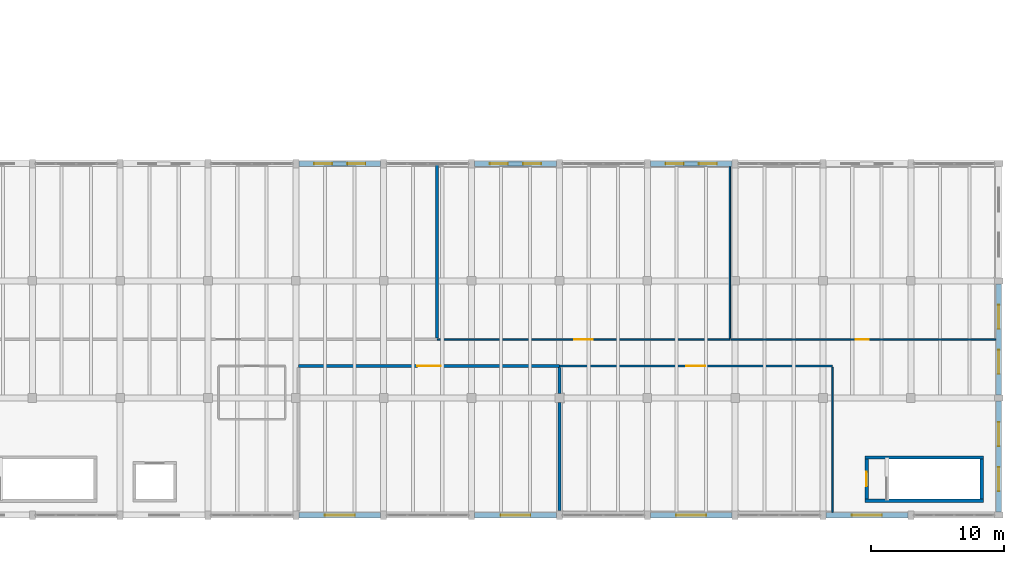
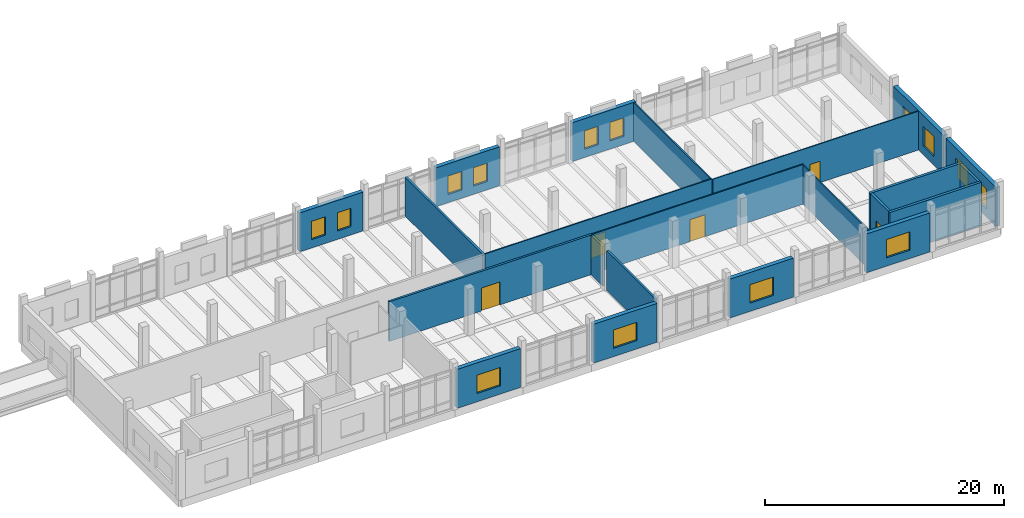
# One storey, part 55 of 76: 22 walls, 14 windows, 5 doors, 19 openings.
"""IFC4 building model written with IfcOpenShell, lengths in metres."""

from ifc_helpers import new_model, si_unit, direction, frame, frame_2d, origin, place, context, subcontext, project, spatial, rectangle, extrude, material, layer, layer_set, type_object, element, fill, save


model = new_model("IFC4")

# Units and contexts
model_context = context("Model", 3, precision=1e-05, world=origin(), true_north=direction((0.0, 1.0)))
body_context = subcontext(model_context, "Body", "Model", "MODEL_VIEW")
ifc_project = project(units=[si_unit("LENGTHUNIT", "METRE"), si_unit("AREAUNIT", "SQUARE_METRE"), si_unit("VOLUMEUNIT", "CUBIC_METRE"), si_unit("PLANEANGLEUNIT", "RADIAN"), si_unit("MASSUNIT", "GRAM", prefix="KILO")], contexts=[model_context])

# Site, building, storey
site_placement = place(None, origin())
site = spatial("IfcSite", under=ifc_project, at=site_placement, CompositionType="ELEMENT")
building_placement = place(site_placement, origin())
building = spatial("IfcBuilding", under=site, at=building_placement, Name="Dornvale Research Institute", CompositionType="ELEMENT")
storey_placement = place(building_placement, frame((0.0, 0.0, 15.0)))
storey = spatial("IfcBuildingStorey", under=building, at=storey_placement, Name="L03", CompositionType="ELEMENT", Elevation=15.0)

# Wall, opening, door
ifc_material_1 = material(Name="Acoustic Insulated Double-Stud Laboratory Partition")
ifc_layer_1 = layer(ifc_material_1, 0.1201171875)
ifc_layer_set_1 = layer_set([ifc_layer_1], Name="Acoustic Insulated Double-Stud Laboratory Partition")
wall_type_1 = type_object("IfcWallType", Name="Partition_Dry_120", PredefinedType="PARTITIONING", material=ifc_layer_set_1)
wall_1_placement = place(storey_placement, frame((136.014892578125, 13.199951171875, 0.0), z_axis=(0.0, 0.0, 1.0), x_axis=(1.0, 0.0, 0.0)))
wall_1 = element("IfcWall", 1, at=wall_1_placement, inside=storey, type_object=wall_type_1, Name="L03 V3 interior partition #382", PredefinedType="PARTITIONING", context=body_context, shape_type="SweptSolid", body=[
    extrude(rectangle(XDim=21.985107421875, YDim=0.1201171875, at=frame_2d((10.99267578125, 0.0))), origin(), (0.0, 0.0, 1.0), 4.06494140625),
])
opening_1_placement = place(wall_1_placement, frame((10.294921875, 0.0, 0.0)))
opening_1 = element("IfcOpeningElement", 2, at=opening_1_placement, cuts=wall_1, Name="Opening ID-08", PredefinedType="OPENING", context=body_context, shape_type="SweptSolid", body=[
    extrude(rectangle(XDim=1.3798828125, YDim=2.25, at=frame_2d((0.68994140625, 1.125))), frame((0.0, 0.074951171875, 0.0), z_axis=(0.0, -1.0, 0.0), x_axis=(1.0, 0.0, 0.0)), (0.0, 0.0, 1.0), 0.150146484375),
])
ifc_material_2 = material(Name="Insulated Fire-Rated Hollow Metal Door Assembly")
door_type_1 = type_object("IfcDoorType", Name="Door_DryLab_1380x2250", OperationType="SINGLE_SWING_LEFT", PredefinedType="DOOR", material=ifc_material_2)
door_1_placement = place(opening_1_placement, origin())
door_1 = element("IfcDoor", 3, at=door_1_placement, inside=storey, type_object=door_type_1, Name="L03 Photonics Packaging and Reliability Lab door #154", OperationType="SINGLE_SWING_LEFT", OverallHeight=2.25, OverallWidth=1.3798828125, PredefinedType="DOOR", context=body_context, shape_type="SweptSolid", body=[
    extrude(rectangle(XDim=1.3798828125, YDim=2.25, at=frame_2d((0.68994140625, 1.125))), frame((0.0, 0.02490234375, 0.0), z_axis=(0.0, -1.0, 0.0), x_axis=(1.0, 0.0, 0.0)), (0.0, 0.0, 1.0), 0.050048828125),
])
fill(opening_1, door_1)

# Wall
wall_2_placement = place(storey_placement, frame((158.0, 13.27490234375, 0.0), z_axis=(0.0, 0.0, 1.0), x_axis=(0.0, 1.0, 0.0)))
element("IfcWall", 4, at=wall_2_placement, inside=storey, type_object=wall_type_1, Name="L03 V3 interior partition #383", PredefinedType="PARTITIONING", context=body_context, shape_type="SweptSolid", body=[
    extrude(rectangle(XDim=12.91015625, YDim=0.1201171875, at=frame_2d((6.455078125, 0.0))), origin(), (0.0, 0.0, 1.0), 3.97998046875),
])

# Wall, opening, door
wall_3_placement = place(storey_placement, frame((145.215087890625, 11.199951171875, 0.0), z_axis=(0.0, 0.0, 1.0), x_axis=(1.0, 0.0, 0.0)))
wall_3 = element("IfcWall", 5, at=wall_3_placement, inside=storey, type_object=wall_type_1, Name="L03 V3 interior partition #390", PredefinedType="PARTITIONING", context=body_context, shape_type="SweptSolid", body=[
    extrude(rectangle(XDim=20.48486328125, YDim=0.1201171875, at=frame_2d((10.242431640625, 0.0))), origin(), (0.0, 0.0, 1.0), 4.06494140625),
])
opening_2_placement = place(wall_3_placement, frame((9.514892578125, 0.0, 0.0)))
opening_2 = element("IfcOpeningElement", 6, at=opening_2_placement, cuts=wall_3, Name="Opening ID-07", PredefinedType="OPENING", context=body_context, shape_type="SweptSolid", body=[
    extrude(rectangle(XDim=1.43994140625, YDim=2.25, at=frame_2d((0.719970703125, 1.125))), frame((0.0, 0.074951171875, 0.0), z_axis=(0.0, -1.0, 0.0), x_axis=(1.0, 0.0, 0.0)), (0.0, 0.0, 1.0), 0.150146484375),
])
ifc_material_3 = material(Name="Insulated Fire-Rated Hollow Metal Door Assembly")
door_type_2 = type_object("IfcDoorType", Name="Door_DryLab_1440x2250", OperationType="SINGLE_SWING_LEFT", PredefinedType="DOOR", material=ifc_material_3)
door_2_placement = place(opening_2_placement, origin())
door_2 = element("IfcDoor", 7, at=door_2_placement, inside=storey, type_object=door_type_2, Name="L03 Nanometrology Calibration Suite L03 door #157", OperationType="SINGLE_SWING_RIGHT", OverallHeight=2.25, OverallWidth=1.43994140625, PredefinedType="DOOR", context=body_context, shape_type="SweptSolid", body=[
    extrude(rectangle(XDim=1.43994140625, YDim=2.25, at=frame_2d((0.719970703125, 1.125))), frame((0.0, 0.02490234375, 0.0), z_axis=(0.0, -1.0, 0.0), x_axis=(1.0, 0.0, 0.0)), (0.0, 0.0, 1.0), 0.050048828125),
])
fill(opening_2, door_2)

# Walls
wall_4_placement = place(storey_placement, frame((165.699951171875, 0.215087890625, 0.0), z_axis=(0.0, 0.0, 1.0), x_axis=(0.0, 1.0, 0.0)))
element("IfcWall", 8, at=wall_4_placement, inside=storey, type_object=wall_type_1, Name="L03 V3 interior partition #391", PredefinedType="PARTITIONING", context=body_context, shape_type="SweptSolid", body=[
    extrude(rectangle(XDim=10.909912109375, YDim=0.1201171875, at=frame_2d((5.455078125, 0.0))), origin(), (0.0, 0.0, 1.0), 3.97998046875),
])
ifc_material_4 = material(Name="Fire-Rated Gypsum Board on Cold-Formed Steel Studs", Category="steel")
ifc_layer_2 = layer(ifc_material_4, 0.199951171875)
ifc_layer_set_2 = layer_set([ifc_layer_2], Name="Fire-Rated Gypsum Board on Cold-Formed Steel Studs")
wall_type_2 = type_object("IfcWallType", Name="Partition_FireWall_200", PredefinedType="PARTITIONING", material=ifc_layer_set_2)
wall_5_placement = place(storey_placement, frame((136.0, 13.31494140625, 0.0), z_axis=(0.0, 0.0, 1.0), x_axis=(0.0, 1.0, 0.0)))
element("IfcWall", 9, at=wall_5_placement, inside=storey, type_object=wall_type_2, Name="L03 V3 interior partition #381", PredefinedType="PARTITIONING", context=body_context, shape_type="SweptSolid", body=[
    extrude(rectangle(XDim=13.045166015625, YDim=0.199951171875, at=frame_2d((6.5224609375, 0.0))), origin(), (0.0, 0.0, 1.0), 3.97998046875),
])

# Wall, opening, door
wall_6_placement = place(storey_placement, frame((125.60009765625, 11.199951171875, 0.0), z_axis=(0.0, 0.0, 1.0), x_axis=(1.0, 0.0, 0.0)))
wall_6 = element("IfcWall", 10, at=wall_6_placement, inside=storey, type_object=wall_type_2, Name="L03 V3 interior partition #385", PredefinedType="PARTITIONING", context=body_context, shape_type="SweptSolid", body=[
    extrude(rectangle(XDim=19.599853515625, YDim=0.199951171875, at=frame_2d((9.7998046875, 0.0))), origin(), (0.0, 0.0, 1.0), 4.06494140625),
])
opening_3_placement = place(wall_6_placement, frame((8.919921875, 0.0, 0.0)))
opening_3 = element("IfcOpeningElement", 11, at=opening_3_placement, cuts=wall_6, Name="Opening ID-14", PredefinedType="OPENING", context=body_context, shape_type="SweptSolid", body=[
    extrude(rectangle(XDim=1.760009765625, YDim=2.35009765625, at=frame_2d((0.8798828125, 1.175048828125))), frame((0.0, 0.114990234375, 0.0), z_axis=(0.0, -1.0, 0.0), x_axis=(1.0, 0.0, 0.0)), (0.0, 0.0, 1.0), 0.22998046875),
])
ifc_material_5 = material(Name="Insulated Fire-Rated Hollow Metal Door Assembly")
door_type_3 = type_object("IfcDoorType", Name="Door_Plant_1760x2350", OperationType="SINGLE_SWING_LEFT", PredefinedType="DOOR", material=ifc_material_5)
door_3_placement = place(opening_3_placement, origin())
door_3 = element("IfcDoor", 12, at=door_3_placement, inside=storey, type_object=door_type_3, Name="L03 Cleanroom Return-Air Service Chase L03 door #156", OperationType="DOUBLE_DOOR_SINGLE_SWING", OverallHeight=2.35009765625, OverallWidth=1.760009765625, PredefinedType="DOOR", context=body_context, shape_type="SweptSolid", body=[
    extrude(rectangle(XDim=1.760009765625, YDim=2.35009765625, at=frame_2d((0.8798828125, 1.175048828125))), frame((0.0, 0.02490234375, 0.0), z_axis=(0.0, -1.0, 0.0), x_axis=(1.0, 0.0, 0.0)), (0.0, 0.0, 1.0), 0.050048828125),
])
fill(opening_3, door_3)

# Walls
wall_7_placement = place(storey_placement, frame((145.199951171875, 0.344970703125, 0.0), z_axis=(0.0, 0.0, 1.0), x_axis=(0.0, 1.0, 0.0)))
element("IfcWall", 13, at=wall_7_placement, inside=storey, type_object=wall_type_2, Name="L03 V3 interior partition #388", PredefinedType="PARTITIONING", context=body_context, shape_type="SweptSolid", body=[
    extrude(rectangle(XDim=8.110107421875, YDim=0.199951171875, at=frame_2d((4.05517578125, 0.0))), origin(), (0.0, 0.0, 1.0), 4.06494140625),
])
wall_8_placement = place(storey_placement, frame((145.199951171875, 9.14501953125, 0.0), z_axis=(0.0, 0.0, 1.0), x_axis=(0.0, 1.0, 0.0)))
element("IfcWall", 14, at=wall_8_placement, inside=storey, type_object=wall_type_2, Name="L03 V3 interior partition #389", PredefinedType="PARTITIONING", context=body_context, shape_type="SweptSolid", body=[
    extrude(rectangle(XDim=1.93994140625, YDim=0.199951171875, at=frame_2d((0.969970703125, 0.0))), origin(), (0.0, 0.0, 1.0), 4.06494140625),
])

# Wall, opening, door
ifc_material_6 = material(Name="Acoustic Insulated Double-Stud Laboratory Partition")
ifc_layer_3 = layer(ifc_material_6, 0.10009765625)
ifc_layer_set_3 = layer_set([ifc_layer_3], Name="Acoustic Insulated Double-Stud Laboratory Partition")
wall_type_3 = type_object("IfcWallType", Name="Partition_Office_100", PredefinedType="PARTITIONING", material=ifc_layer_set_3)
wall_9_placement = place(storey_placement, frame((158.074951171875, 13.199951171875, 0.0), z_axis=(0.0, 0.0, 1.0), x_axis=(1.0, 0.0, 0.0)))
wall_9 = element("IfcWall", 15, at=wall_9_placement, inside=storey, type_object=wall_type_3, Name="L03 V3 interior partition #384", PredefinedType="PARTITIONING", context=body_context, shape_type="SweptSolid", body=[
    extrude(rectangle(XDim=19.91015625, YDim=0.10009765625, at=frame_2d((9.955078125, 0.0))), origin(), (0.0, 0.0, 1.0), 3.97998046875),
])
opening_4_placement = place(wall_9_placement, frame((9.39501953125, 0.0, 0.0)))
opening_4 = element("IfcOpeningElement", 16, at=opening_4_placement, cuts=wall_9, Name="Opening ID-21", PredefinedType="OPENING", context=body_context, shape_type="SweptSolid", body=[
    extrude(rectangle(XDim=0.97998046875, YDim=2.199951171875, at=frame_2d((0.489990234375, 1.10009765625))), frame((0.0, 0.06494140625, 0.0), z_axis=(0.0, -1.0, 0.0), x_axis=(1.0, 0.0, 0.0)), (0.0, 0.0, 1.0), 0.130126953125),
])
ifc_material_7 = material(Name="Phenolic-Faced Solid-Core Laboratory Door Assembly")
door_type_4 = type_object("IfcDoorType", Name="Door_Office_980x2200", OperationType="SINGLE_SWING_LEFT", PredefinedType="DOOR", material=ifc_material_7)
door_4_placement = place(opening_4_placement, origin())
door_4 = element("IfcDoor", 17, at=door_4_placement, inside=storey, type_object=door_type_4, Name="L03 Cleanroom Operations Control Suite door #155", OperationType="SINGLE_SWING_RIGHT", OverallHeight=2.199951171875, OverallWidth=0.97998046875, PredefinedType="DOOR", context=body_context, shape_type="SweptSolid", body=[
    extrude(rectangle(XDim=0.97998046875, YDim=2.199951171875, at=frame_2d((0.489990234375, 1.10009765625))), frame((0.0, 0.02490234375, 0.0), z_axis=(0.0, -1.0, 0.0), x_axis=(1.0, 0.0, 0.0)), (0.0, 0.0, 1.0), 0.050048828125),
])
fill(opening_4, door_4)

# Walls
ifc_material_8 = material(Name="Concrete f'c 45 MPa (C35/45)", Category="concrete")
ifc_layer_4 = layer(ifc_material_8, 0.25)
ifc_layer_set_4 = layer_set([ifc_layer_4], Name="Concrete f'c 45 MPa (C35/45)")
wall_type_4 = type_object("IfcWallType", Name="ShearWall_Core_250", PredefinedType="SHEAR", material=ifc_layer_set_4)
for number, where, z_axis, x_axis, name in (
    (18, (168.14990234375, 1.074951171875, 0.0), (0.0, 0.0, 1.0), (1.0, 0.0, 0.0), "L03 ST-6 shaft shear wall south"),
    (19, (168.14990234375, 4.324951171875, 0.0), (0.0, 0.0, 1.0), (1.0, 0.0, 0.0), "L03 ST-6 shaft shear wall north"),
):
    element("IfcWall", number, at=place(storey_placement, frame(where, z_axis=z_axis, x_axis=x_axis)), inside=storey, type_object=wall_type_4, Name=name, PredefinedType="SHEAR", context=body_context, shape_type="SweptSolid", body=[
        extrude(rectangle(XDim=8.900146484375, YDim=0.25, at=frame_2d((4.4501953125, 0.0))), origin(), (0.0, 0.0, 1.0), 4.43994140625),
    ])

# Wall, opening, door
wall_10_placement = place(storey_placement, frame((168.27490234375, 1.199951171875, 0.0), z_axis=(0.0, 0.0, 1.0), x_axis=(0.0, 1.0, 0.0)))
wall_10 = element("IfcWall", 20, at=wall_10_placement, inside=storey, type_object=wall_type_4, Name="L03 ST-6 shaft shear wall west", PredefinedType="SHEAR", context=body_context, shape_type="SweptSolid", body=[
    extrude(rectangle(XDim=3.0, YDim=0.25, at=frame_2d((1.5, 0.0))), origin(), (0.0, 0.0, 1.0), 4.43994140625),
])
opening_5_placement = place(wall_10_placement, frame((0.9599609375, 0.0, 0.0)))
opening_5 = element("IfcOpeningElement", 21, at=opening_5_placement, cuts=wall_10, Name="Opening SD-02", PredefinedType="OPENING", context=body_context, shape_type="SweptSolid", body=[
    extrude(rectangle(XDim=1.080078125, YDim=2.199951171875, at=frame_2d((0.5400390625, 1.10009765625))), frame((0.0, 0.139892578125, 0.0), z_axis=(0.0, -1.0, 0.0), x_axis=(1.0, 0.0, 0.0)), (0.0, 0.0, 1.0), 0.280029296875),
])
ifc_material_9 = material(Name="Insulated Fire-Rated Hollow Metal Door Assembly")
door_type_5 = type_object("IfcDoorType", Name="Door_Stair_1080x2200", OperationType="SINGLE_SWING_LEFT", PredefinedType="DOOR", material=ifc_material_9)
door_5_placement = place(opening_5_placement, origin())
door_5 = element("IfcDoor", 22, at=door_5_placement, inside=storey, type_object=door_type_5, Name="L03 ST-6 exit stair door #50", OperationType="SINGLE_SWING_RIGHT", OverallHeight=2.199951171875, OverallWidth=1.080078125, PredefinedType="DOOR", context=body_context, shape_type="SweptSolid", body=[
    extrude(rectangle(XDim=1.080078125, YDim=2.199951171875, at=frame_2d((0.5400390625, 1.10009765625))), frame((0.0, 0.02490234375, 0.0), z_axis=(0.0, -1.0, 0.0), x_axis=(1.0, 0.0, 0.0)), (0.0, 0.0, 1.0), 0.050048828125),
])
fill(opening_5, door_5)

# Wall
wall_11_placement = place(storey_placement, frame((176.925048828125, 1.199951171875, 0.0), z_axis=(0.0, 0.0, 1.0), x_axis=(0.0, 1.0, 0.0)))
element("IfcWall", 23, at=wall_11_placement, inside=storey, type_object=wall_type_4, Name="L03 ST-6 shaft shear wall east", PredefinedType="SHEAR", context=body_context, shape_type="SweptSolid", body=[
    extrude(rectangle(XDim=3.0, YDim=0.25, at=frame_2d((1.5, 0.0))), origin(), (0.0, 0.0, 1.0), 4.43994140625),
])

# Wall, openings, windows
ifc_material_10 = material(Name="Precast Concrete f'c 40 MPa (C32/40) and Glazed Terracotta Backup Wall", Category="masonry")
ifc_layer_5 = layer(ifc_material_10, 0.39990234375)
ifc_layer_set_5 = layer_set([ifc_layer_5], Name="Precast Concrete f'c 40 MPa (C32/40) and Glazed Terracotta Backup Wall")
wall_type_5 = type_object("IfcWallType", Name="StandardWall_CleanroomExt_400", PredefinedType="STANDARD", material=ifc_layer_set_5)
wall_12_placement = place(storey_placement, frame((125.625, 26.39990234375, 0.0), z_axis=(0.0, 0.0, 1.0), x_axis=(1.0, 0.0, 0.0)))
wall_12 = element("IfcWall", 24, at=wall_12_placement, inside=storey, type_object=wall_type_5, Name="L03 V3 north exterior wall #171", PredefinedType="STANDARD", context=body_context, shape_type="SweptSolid", body=[
    extrude(rectangle(XDim=6.14990234375, YDim=0.39990234375, at=frame_2d((3.074951171875, 0.0))), origin(), (0.0, 0.0, 1.0), 3.97998046875),
])
opening_6_placement = place(wall_12_placement, frame((1.14990234375, 0.0, 0.85009765625)))
opening_6 = element("IfcOpeningElement", 25, at=opening_6_placement, cuts=wall_12, Name="Opening W-26", PredefinedType="OPENING", context=body_context, shape_type="SweptSolid", body=[
    extrude(rectangle(XDim=1.35009765625, YDim=1.8798828125, at=frame_2d((0.675048828125, 0.93994140625))), frame((0.0, 0.21484375, 0.0), z_axis=(0.0, -1.0, 0.0), x_axis=(1.0, 0.0, 0.0)), (0.0, 0.0, 1.0), 0.429931640625),
])
opening_7_placement = place(wall_12_placement, frame((3.64990234375, 0.0, 0.85009765625)))
opening_7 = element("IfcOpeningElement", 26, at=opening_7_placement, cuts=wall_12, Name="Opening W-26", PredefinedType="OPENING", context=body_context, shape_type="SweptSolid", body=[
    extrude(rectangle(XDim=1.35009765625, YDim=1.8798828125, at=frame_2d((0.675048828125, 0.93994140625))), frame((0.0, 0.21484375, 0.0), z_axis=(0.0, -1.0, 0.0), x_axis=(1.0, 0.0, 0.0)), (0.0, 0.0, 1.0), 0.429931640625),
])
ifc_material_11 = material(Name="Low-E Argon Double Insulating Glazing Unit", Category="glass")
window_type_1 = type_object("IfcWindowType", Name="Window_Alu_1350x1880_26", PartitioningType="SINGLE_PANEL", PredefinedType="WINDOW", material=ifc_material_11)
window_1_placement = place(opening_6_placement, origin())
window_1 = element("IfcWindow", 27, at=window_1_placement, inside=storey, type_object=window_type_1, Name="L03 V3 facade window W-26 #230", OverallHeight=1.8798828125, OverallWidth=1.35009765625, PartitioningType="SINGLE_PANEL", PredefinedType="WINDOW", context=body_context, shape_type="SweptSolid", body=[
    extrude(rectangle(XDim=1.35009765625, YDim=1.8798828125, at=frame_2d((0.675048828125, 0.93994140625))), frame((0.0, 0.030029296875, 0.0), z_axis=(0.0, -1.0, 0.0), x_axis=(1.0, 0.0, 0.0)), (0.0, 0.0, 1.0), 0.06005859375),
])
fill(opening_6, window_1)
window_2_placement = place(opening_7_placement, origin())
window_2 = element("IfcWindow", 28, at=window_2_placement, inside=storey, type_object=window_type_1, Name="L03 V3 facade window W-26 #231", OverallHeight=1.8798828125, OverallWidth=1.35009765625, PartitioningType="SINGLE_PANEL", PredefinedType="WINDOW", context=body_context, shape_type="SweptSolid", body=[
    extrude(rectangle(XDim=1.35009765625, YDim=1.8798828125, at=frame_2d((0.675048828125, 0.93994140625))), frame((0.0, 0.030029296875, 0.0), z_axis=(0.0, -1.0, 0.0), x_axis=(1.0, 0.0, 0.0)), (0.0, 0.0, 1.0), 0.06005859375),
])
fill(opening_7, window_2)

wall_13_placement = place(storey_placement, frame((138.824951171875, 26.39990234375, 0.0), z_axis=(0.0, 0.0, 1.0), x_axis=(1.0, 0.0, 0.0)))
wall_13 = element("IfcWall", 29, at=wall_13_placement, inside=storey, type_object=wall_type_5, Name="L03 V3 north exterior wall #172", PredefinedType="STANDARD", context=body_context, shape_type="SweptSolid", body=[
    extrude(rectangle(XDim=6.150146484375, YDim=0.39990234375, at=frame_2d((3.0751953125, 0.0))), origin(), (0.0, 0.0, 1.0), 3.97998046875),
])
opening_8_placement = place(wall_13_placement, frame((1.14990234375, 0.0, 0.85009765625)))
opening_8 = element("IfcOpeningElement", 30, at=opening_8_placement, cuts=wall_13, Name="Opening W-26", PredefinedType="OPENING", context=body_context, shape_type="SweptSolid", body=[
    extrude(rectangle(XDim=1.35009765625, YDim=1.8798828125, at=frame_2d((0.675048828125, 0.93994140625))), frame((0.0, 0.21484375, 0.0), z_axis=(0.0, -1.0, 0.0), x_axis=(1.0, 0.0, 0.0)), (0.0, 0.0, 1.0), 0.429931640625),
])
opening_9_placement = place(wall_13_placement, frame((3.64990234375, 0.0, 0.85009765625)))
opening_9 = element("IfcOpeningElement", 31, at=opening_9_placement, cuts=wall_13, Name="Opening W-26", PredefinedType="OPENING", context=body_context, shape_type="SweptSolid", body=[
    extrude(rectangle(XDim=1.35009765625, YDim=1.8798828125, at=frame_2d((0.675048828125, 0.93994140625))), frame((0.0, 0.21484375, 0.0), z_axis=(0.0, -1.0, 0.0), x_axis=(1.0, 0.0, 0.0)), (0.0, 0.0, 1.0), 0.429931640625),
])
window_3_placement = place(opening_8_placement, origin())
window_3 = element("IfcWindow", 32, at=window_3_placement, inside=storey, type_object=window_type_1, Name="L03 V3 facade window W-26 #232", OverallHeight=1.8798828125, OverallWidth=1.35009765625, PartitioningType="SINGLE_PANEL", PredefinedType="WINDOW", context=body_context, shape_type="SweptSolid", body=[
    extrude(rectangle(XDim=1.35009765625, YDim=1.8798828125, at=frame_2d((0.675048828125, 0.93994140625))), frame((0.0, 0.030029296875, 0.0), z_axis=(0.0, -1.0, 0.0), x_axis=(1.0, 0.0, 0.0)), (0.0, 0.0, 1.0), 0.06005859375),
])
fill(opening_8, window_3)
window_4_placement = place(opening_9_placement, origin())
window_4 = element("IfcWindow", 33, at=window_4_placement, inside=storey, type_object=window_type_1, Name="L03 V3 facade window W-26 #233", OverallHeight=1.8798828125, OverallWidth=1.35009765625, PartitioningType="SINGLE_PANEL", PredefinedType="WINDOW", context=body_context, shape_type="SweptSolid", body=[
    extrude(rectangle(XDim=1.35009765625, YDim=1.8798828125, at=frame_2d((0.675048828125, 0.93994140625))), frame((0.0, 0.030029296875, 0.0), z_axis=(0.0, -1.0, 0.0), x_axis=(1.0, 0.0, 0.0)), (0.0, 0.0, 1.0), 0.06005859375),
])
fill(opening_9, window_4)

wall_14_placement = place(storey_placement, frame((152.02490234375, 26.39990234375, 0.0), z_axis=(0.0, 0.0, 1.0), x_axis=(1.0, 0.0, 0.0)))
wall_14 = element("IfcWall", 34, at=wall_14_placement, inside=storey, type_object=wall_type_5, Name="L03 V3 north exterior wall #173", PredefinedType="STANDARD", context=body_context, shape_type="SweptSolid", body=[
    extrude(rectangle(XDim=6.150146484375, YDim=0.39990234375, at=frame_2d((3.0751953125, 0.0))), origin(), (0.0, 0.0, 1.0), 3.97998046875),
])
opening_10_placement = place(wall_14_placement, frame((1.14990234375, 0.0, 0.85009765625)))
opening_10 = element("IfcOpeningElement", 35, at=opening_10_placement, cuts=wall_14, Name="Opening W-26", PredefinedType="OPENING", context=body_context, shape_type="SweptSolid", body=[
    extrude(rectangle(XDim=1.35009765625, YDim=1.8798828125, at=frame_2d((0.675048828125, 0.93994140625))), frame((0.0, 0.21484375, 0.0), z_axis=(0.0, -1.0, 0.0), x_axis=(1.0, 0.0, 0.0)), (0.0, 0.0, 1.0), 0.429931640625),
])
opening_11_placement = place(wall_14_placement, frame((3.64990234375, 0.0, 0.85009765625)))
opening_11 = element("IfcOpeningElement", 36, at=opening_11_placement, cuts=wall_14, Name="Opening W-26", PredefinedType="OPENING", context=body_context, shape_type="SweptSolid", body=[
    extrude(rectangle(XDim=1.35009765625, YDim=1.8798828125, at=frame_2d((0.675048828125, 0.93994140625))), frame((0.0, 0.21484375, 0.0), z_axis=(0.0, -1.0, 0.0), x_axis=(1.0, 0.0, 0.0)), (0.0, 0.0, 1.0), 0.429931640625),
])
window_5_placement = place(opening_10_placement, origin())
window_5 = element("IfcWindow", 37, at=window_5_placement, inside=storey, type_object=window_type_1, Name="L03 V3 facade window W-26 #234", OverallHeight=1.8798828125, OverallWidth=1.35009765625, PartitioningType="SINGLE_PANEL", PredefinedType="WINDOW", context=body_context, shape_type="SweptSolid", body=[
    extrude(rectangle(XDim=1.35009765625, YDim=1.8798828125, at=frame_2d((0.675048828125, 0.93994140625))), frame((0.0, 0.030029296875, 0.0), z_axis=(0.0, -1.0, 0.0), x_axis=(1.0, 0.0, 0.0)), (0.0, 0.0, 1.0), 0.06005859375),
])
fill(opening_10, window_5)
window_6_placement = place(opening_11_placement, origin())
window_6 = element("IfcWindow", 38, at=window_6_placement, inside=storey, type_object=window_type_1, Name="L03 V3 facade window W-26 #235", OverallHeight=1.8798828125, OverallWidth=1.35009765625, PartitioningType="SINGLE_PANEL", PredefinedType="WINDOW", context=body_context, shape_type="SweptSolid", body=[
    extrude(rectangle(XDim=1.35009765625, YDim=1.8798828125, at=frame_2d((0.675048828125, 0.93994140625))), frame((0.0, 0.030029296875, 0.0), z_axis=(0.0, -1.0, 0.0), x_axis=(1.0, 0.0, 0.0)), (0.0, 0.0, 1.0), 0.06005859375),
])
fill(opening_11, window_6)

wall_15_placement = place(storey_placement, frame((178.199951171875, 17.375, 0.0), z_axis=(0.0, 0.0, 1.0), x_axis=(0.0, -1.0, 0.0)))
wall_15 = element("IfcWall", 39, at=wall_15_placement, inside=storey, type_object=wall_type_5, Name="L03 V3 east exterior wall #176", PredefinedType="STANDARD", context=body_context, shape_type="SweptSolid", body=[
    extrude(rectangle(XDim=8.35009765625, YDim=0.39990234375, at=frame_2d((4.175048828125, 0.0))), origin(), (0.0, 0.0, 1.0), 3.97998046875),
])
opening_12_placement = place(wall_15_placement, frame((1.583251953125, 0.0, 0.85009765625)))
opening_12 = element("IfcOpeningElement", 40, at=opening_12_placement, cuts=wall_15, Name="Opening W-29", PredefinedType="OPENING", context=body_context, shape_type="SweptSolid", body=[
    extrude(rectangle(XDim=1.800048828125, YDim=2.0400390625, at=frame_2d((0.89990234375, 1.02001953125))), frame((0.0, 0.21484375, 0.0), z_axis=(0.0, -1.0, 0.0), x_axis=(1.0, 0.0, 0.0)), (0.0, 0.0, 1.0), 0.429931640625),
])
opening_13_placement = place(wall_15_placement, frame((4.966552734375, 0.0, 0.85009765625)))
opening_13 = element("IfcOpeningElement", 41, at=opening_13_placement, cuts=wall_15, Name="Opening W-29", PredefinedType="OPENING", context=body_context, shape_type="SweptSolid", body=[
    extrude(rectangle(XDim=1.800048828125, YDim=2.0400390625, at=frame_2d((0.89990234375, 1.02001953125))), frame((0.0, 0.21484375, 0.0), z_axis=(0.0, -1.0, 0.0), x_axis=(1.0, 0.0, 0.0)), (0.0, 0.0, 1.0), 0.429931640625),
])
ifc_material_12 = material(Name="Low-E Argon Double Insulating Glazing Unit", Category="glass")
window_type_2 = type_object("IfcWindowType", Name="Window_Alu_1800x2040_29", PartitioningType="DOUBLE_PANEL_VERTICAL", PredefinedType="WINDOW", material=ifc_material_12)
window_7_placement = place(opening_12_placement, origin())
window_7 = element("IfcWindow", 42, at=window_7_placement, inside=storey, type_object=window_type_2, Name="L03 V3 facade window W-29 #240", OverallHeight=2.0400390625, OverallWidth=1.800048828125, PartitioningType="DOUBLE_PANEL_VERTICAL", PredefinedType="WINDOW", context=body_context, shape_type="SweptSolid", body=[
    extrude(rectangle(XDim=1.800048828125, YDim=2.0400390625, at=frame_2d((0.89990234375, 1.02001953125))), frame((0.0, 0.030029296875, 0.0), z_axis=(0.0, -1.0, 0.0), x_axis=(1.0, 0.0, 0.0)), (0.0, 0.0, 1.0), 0.06005859375),
])
fill(opening_12, window_7)
window_8_placement = place(opening_13_placement, origin())
window_8 = element("IfcWindow", 43, at=window_8_placement, inside=storey, type_object=window_type_2, Name="L03 V3 facade window W-29 #241", OverallHeight=2.0400390625, OverallWidth=1.800048828125, PartitioningType="DOUBLE_PANEL_VERTICAL", PredefinedType="WINDOW", context=body_context, shape_type="SweptSolid", body=[
    extrude(rectangle(XDim=1.800048828125, YDim=2.0400390625, at=frame_2d((0.89990234375, 1.02001953125))), frame((0.0, 0.030029296875, 0.0), z_axis=(0.0, -1.0, 0.0), x_axis=(1.0, 0.0, 0.0)), (0.0, 0.0, 1.0), 0.06005859375),
])
fill(opening_13, window_8)

wall_16_placement = place(storey_placement, frame((178.199951171875, 8.574951171875, 0.0), z_axis=(0.0, 0.0, 1.0), x_axis=(0.0, -1.0, 0.0)))
wall_16 = element("IfcWall", 44, at=wall_16_placement, inside=storey, type_object=wall_type_5, Name="L03 V3 east exterior wall #177", PredefinedType="STANDARD", context=body_context, shape_type="SweptSolid", body=[
    extrude(rectangle(XDim=8.349853515625, YDim=0.39990234375, at=frame_2d((4.1748046875, 0.0))), origin(), (0.0, 0.0, 1.0), 3.97998046875),
])
opening_14_placement = place(wall_16_placement, frame((1.583251953125, 0.0, 0.85009765625)))
opening_14 = element("IfcOpeningElement", 45, at=opening_14_placement, cuts=wall_16, Name="Opening W-29", PredefinedType="OPENING", context=body_context, shape_type="SweptSolid", body=[
    extrude(rectangle(XDim=1.800048828125, YDim=2.0400390625, at=frame_2d((0.89990234375, 1.02001953125))), frame((0.0, 0.21484375, 0.0), z_axis=(0.0, -1.0, 0.0), x_axis=(1.0, 0.0, 0.0)), (0.0, 0.0, 1.0), 0.429931640625),
])
opening_15_placement = place(wall_16_placement, frame((4.966552734375, 0.0, 0.85009765625)))
opening_15 = element("IfcOpeningElement", 46, at=opening_15_placement, cuts=wall_16, Name="Opening W-29", PredefinedType="OPENING", context=body_context, shape_type="SweptSolid", body=[
    extrude(rectangle(XDim=1.800048828125, YDim=2.0400390625, at=frame_2d((0.89990234375, 1.02001953125))), frame((0.0, 0.21484375, 0.0), z_axis=(0.0, -1.0, 0.0), x_axis=(1.0, 0.0, 0.0)), (0.0, 0.0, 1.0), 0.429931640625),
])
window_9_placement = place(opening_14_placement, origin())
window_9 = element("IfcWindow", 47, at=window_9_placement, inside=storey, type_object=window_type_2, Name="L03 V3 facade window W-29 #242", OverallHeight=2.0400390625, OverallWidth=1.800048828125, PartitioningType="DOUBLE_PANEL_VERTICAL", PredefinedType="WINDOW", context=body_context, shape_type="SweptSolid", body=[
    extrude(rectangle(XDim=1.800048828125, YDim=2.0400390625, at=frame_2d((0.89990234375, 1.02001953125))), frame((0.0, 0.030029296875, 0.0), z_axis=(0.0, -1.0, 0.0), x_axis=(1.0, 0.0, 0.0)), (0.0, 0.0, 1.0), 0.06005859375),
])
fill(opening_14, window_9)
window_10_placement = place(opening_15_placement, origin())
window_10 = element("IfcWindow", 48, at=window_10_placement, inside=storey, type_object=window_type_2, Name="L03 V3 facade window W-29 #243", OverallHeight=2.0400390625, OverallWidth=1.800048828125, PartitioningType="DOUBLE_PANEL_VERTICAL", PredefinedType="WINDOW", context=body_context, shape_type="SweptSolid", body=[
    extrude(rectangle(XDim=1.800048828125, YDim=2.0400390625, at=frame_2d((0.89990234375, 1.02001953125))), frame((0.0, 0.030029296875, 0.0), z_axis=(0.0, -1.0, 0.0), x_axis=(1.0, 0.0, 0.0)), (0.0, 0.0, 1.0), 0.06005859375),
])
fill(opening_15, window_10)

# Wall, opening, window
wall_17_placement = place(storey_placement, frame((171.375, 0.0, 0.0), z_axis=(0.0, 0.0, 1.0), x_axis=(-1.0, 0.0, 0.0)))
wall_17 = element("IfcWall", 49, at=wall_17_placement, inside=storey, type_object=wall_type_5, Name="L03 V3 south exterior wall #178", PredefinedType="STANDARD", context=body_context, shape_type="SweptSolid", body=[
    extrude(rectangle(XDim=6.14990234375, YDim=0.39990234375, at=frame_2d((3.074951171875, 0.0))), origin(), (0.0, 0.0, 1.0), 3.97998046875),
])
opening_16_placement = place(wall_17_placement, frame((1.949951171875, 0.0, 0.85009765625)))
opening_16 = element("IfcOpeningElement", 50, at=opening_16_placement, cuts=wall_17, Name="Opening W-32", PredefinedType="OPENING", context=body_context, shape_type="SweptSolid", body=[
    extrude(rectangle(XDim=2.25, YDim=1.8798828125, at=frame_2d((1.125, 0.93994140625))), frame((0.0, 0.21484375, 0.0), z_axis=(0.0, -1.0, 0.0), x_axis=(1.0, 0.0, 0.0)), (0.0, 0.0, 1.0), 0.429931640625),
])
ifc_material_13 = material(Name="Low-E Argon Double Insulating Glazing Unit", Category="glass")
window_type_3 = type_object("IfcWindowType", Name="Window_Alu_2250x1880_32", PartitioningType="DOUBLE_PANEL_VERTICAL", PredefinedType="WINDOW", material=ifc_material_13)
window_11_placement = place(opening_16_placement, origin())
window_11 = element("IfcWindow", 51, at=window_11_placement, inside=storey, type_object=window_type_3, Name="L03 V3 facade window W-32 #244", OverallHeight=1.8798828125, OverallWidth=2.25, PartitioningType="DOUBLE_PANEL_VERTICAL", PredefinedType="WINDOW", context=body_context, shape_type="SweptSolid", body=[
    extrude(rectangle(XDim=2.25, YDim=1.8798828125, at=frame_2d((1.125, 0.93994140625))), frame((0.0, 0.030029296875, 0.0), z_axis=(0.0, -1.0, 0.0), x_axis=(1.0, 0.0, 0.0)), (0.0, 0.0, 1.0), 0.06005859375),
])
fill(opening_16, window_11)

wall_18_placement = place(storey_placement, frame((158.175048828125, 0.0, 0.0), z_axis=(0.0, 0.0, 1.0), x_axis=(-1.0, 0.0, 0.0)))
wall_18 = element("IfcWall", 52, at=wall_18_placement, inside=storey, type_object=wall_type_5, Name="L03 V3 south exterior wall #179", PredefinedType="STANDARD", context=body_context, shape_type="SweptSolid", body=[
    extrude(rectangle(XDim=6.150146484375, YDim=0.39990234375, at=frame_2d((3.0751953125, 0.0))), origin(), (0.0, 0.0, 1.0), 3.97998046875),
])
opening_17_placement = place(wall_18_placement, frame((1.949951171875, 0.0, 0.85009765625)))
opening_17 = element("IfcOpeningElement", 53, at=opening_17_placement, cuts=wall_18, Name="Opening W-32", PredefinedType="OPENING", context=body_context, shape_type="SweptSolid", body=[
    extrude(rectangle(XDim=2.25, YDim=1.8798828125, at=frame_2d((1.125, 0.93994140625))), frame((0.0, 0.21484375, 0.0), z_axis=(0.0, -1.0, 0.0), x_axis=(1.0, 0.0, 0.0)), (0.0, 0.0, 1.0), 0.429931640625),
])
window_12_placement = place(opening_17_placement, origin())
window_12 = element("IfcWindow", 54, at=window_12_placement, inside=storey, type_object=window_type_3, Name="L03 V3 facade window W-32 #245", OverallHeight=1.8798828125, OverallWidth=2.25, PartitioningType="DOUBLE_PANEL_VERTICAL", PredefinedType="WINDOW", context=body_context, shape_type="SweptSolid", body=[
    extrude(rectangle(XDim=2.25, YDim=1.8798828125, at=frame_2d((1.125, 0.93994140625))), frame((0.0, 0.030029296875, 0.0), z_axis=(0.0, -1.0, 0.0), x_axis=(1.0, 0.0, 0.0)), (0.0, 0.0, 1.0), 0.06005859375),
])
fill(opening_17, window_12)

wall_19_placement = place(storey_placement, frame((144.97509765625, 0.0, 0.0), z_axis=(0.0, 0.0, 1.0), x_axis=(-1.0, 0.0, 0.0)))
wall_19 = element("IfcWall", 55, at=wall_19_placement, inside=storey, type_object=wall_type_5, Name="L03 V3 south exterior wall #180", PredefinedType="STANDARD", context=body_context, shape_type="SweptSolid", body=[
    extrude(rectangle(XDim=6.150146484375, YDim=0.39990234375, at=frame_2d((3.0751953125, 0.0))), origin(), (0.0, 0.0, 1.0), 3.97998046875),
])
opening_18_placement = place(wall_19_placement, frame((1.949951171875, 0.0, 0.85009765625)))
opening_18 = element("IfcOpeningElement", 56, at=opening_18_placement, cuts=wall_19, Name="Opening W-32", PredefinedType="OPENING", context=body_context, shape_type="SweptSolid", body=[
    extrude(rectangle(XDim=2.25, YDim=1.8798828125, at=frame_2d((1.125, 0.93994140625))), frame((0.0, 0.21484375, 0.0), z_axis=(0.0, -1.0, 0.0), x_axis=(1.0, 0.0, 0.0)), (0.0, 0.0, 1.0), 0.429931640625),
])
window_13_placement = place(opening_18_placement, origin())
window_13 = element("IfcWindow", 57, at=window_13_placement, inside=storey, type_object=window_type_3, Name="L03 V3 facade window W-32 #246", OverallHeight=1.8798828125, OverallWidth=2.25, PartitioningType="DOUBLE_PANEL_VERTICAL", PredefinedType="WINDOW", context=body_context, shape_type="SweptSolid", body=[
    extrude(rectangle(XDim=2.25, YDim=1.8798828125, at=frame_2d((1.125, 0.93994140625))), frame((0.0, 0.030029296875, 0.0), z_axis=(0.0, -1.0, 0.0), x_axis=(1.0, 0.0, 0.0)), (0.0, 0.0, 1.0), 0.06005859375),
])
fill(opening_18, window_13)

wall_20_placement = place(storey_placement, frame((131.77490234375, 0.0, 0.0), z_axis=(0.0, 0.0, 1.0), x_axis=(-1.0, 0.0, 0.0)))
wall_20 = element("IfcWall", 58, at=wall_20_placement, inside=storey, type_object=wall_type_5, Name="L03 V3 south exterior wall #181", PredefinedType="STANDARD", context=body_context, shape_type="SweptSolid", body=[
    extrude(rectangle(XDim=6.14990234375, YDim=0.39990234375, at=frame_2d((3.074951171875, 0.0))), origin(), (0.0, 0.0, 1.0), 3.97998046875),
])
opening_19_placement = place(wall_20_placement, frame((1.949951171875, 0.0, 0.85009765625)))
opening_19 = element("IfcOpeningElement", 59, at=opening_19_placement, cuts=wall_20, Name="Opening W-32", PredefinedType="OPENING", context=body_context, shape_type="SweptSolid", body=[
    extrude(rectangle(XDim=2.25, YDim=1.8798828125, at=frame_2d((1.125, 0.93994140625))), frame((0.0, 0.21484375, 0.0), z_axis=(0.0, -1.0, 0.0), x_axis=(1.0, 0.0, 0.0)), (0.0, 0.0, 1.0), 0.429931640625),
])
window_14_placement = place(opening_19_placement, origin())
window_14 = element("IfcWindow", 60, at=window_14_placement, inside=storey, type_object=window_type_3, Name="L03 V3 facade window W-32 #247", OverallHeight=1.8798828125, OverallWidth=2.25, PartitioningType="DOUBLE_PANEL_VERTICAL", PredefinedType="WINDOW", context=body_context, shape_type="SweptSolid", body=[
    extrude(rectangle(XDim=2.25, YDim=1.8798828125, at=frame_2d((1.125, 0.93994140625))), frame((0.0, 0.030029296875, 0.0), z_axis=(0.0, -1.0, 0.0), x_axis=(1.0, 0.0, 0.0)), (0.0, 0.0, 1.0), 0.06005859375),
])
fill(opening_19, window_14)

save(model, "model.ifc")
